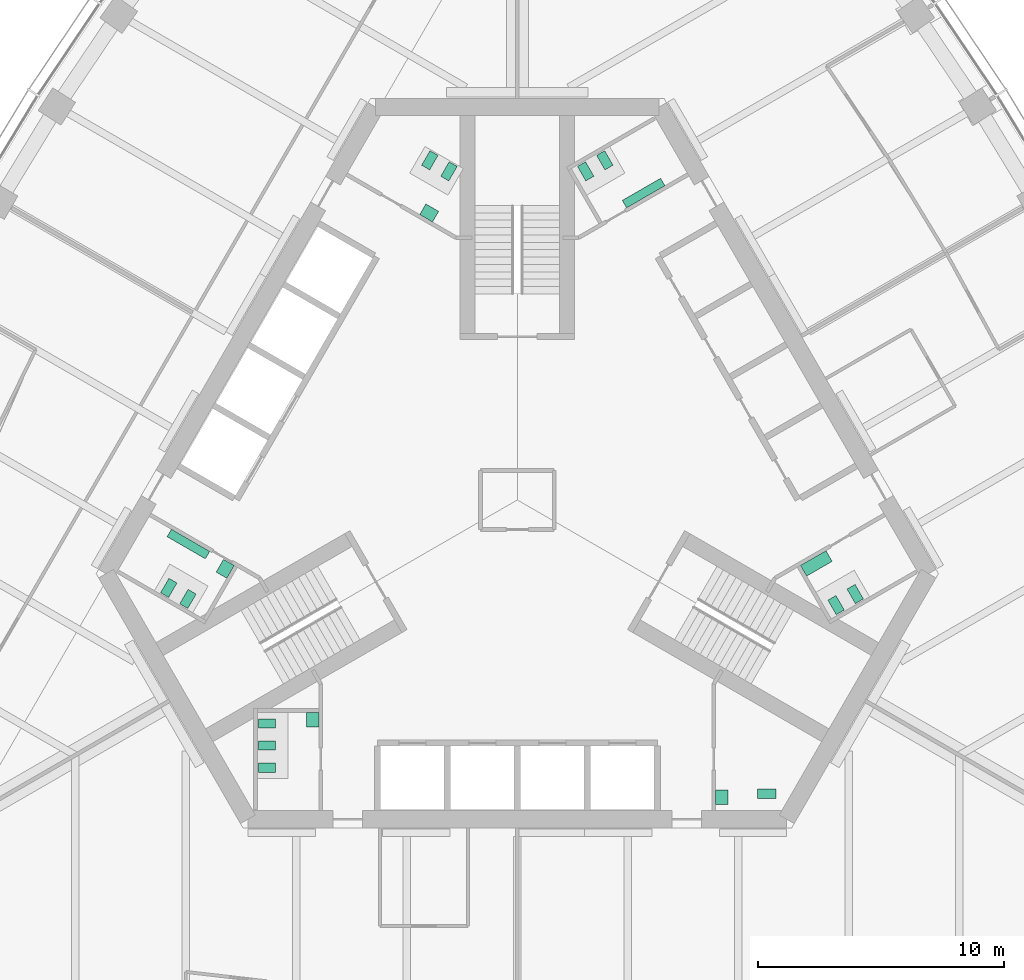
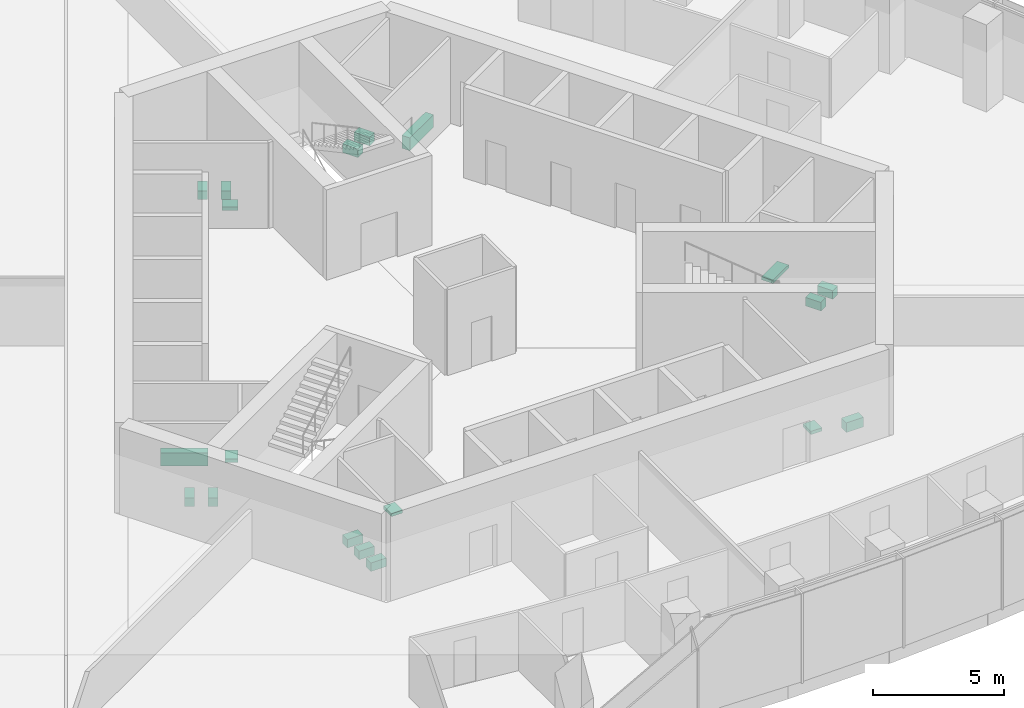
# One storey, part 18 of 19: 19 sanitary terminals.
"""IFC4 building model written with IfcOpenShell, lengths in metres."""

from ifc_helpers import new_model, si_unit, direction, frame, origin, place, context, subcontext, project, spatial, polyline, outline, extrude, material, type_object, element, save


model = new_model("IFC4")

# Units and contexts
model_context = context("Model", 3, precision=1e-05, world=origin(), true_north=direction((0.0, 1.0)))
body_context = subcontext(model_context, "Body", "Model", "MODEL_VIEW")
ifc_project = project(units=[si_unit("LENGTHUNIT", "METRE"), si_unit("AREAUNIT", "SQUARE_METRE"), si_unit("VOLUMEUNIT", "CUBIC_METRE"), si_unit("PLANEANGLEUNIT", "RADIAN"), si_unit("MASSUNIT", "GRAM", prefix="KILO")], contexts=[model_context])

# Site, building, storey
site_placement = place(None, origin())
site = spatial("IfcSite", under=ifc_project, at=site_placement, CompositionType="ELEMENT")
building_placement = place(site_placement, origin())
building = spatial("IfcBuilding", under=site, at=building_placement, Name="Trefoil Bronze Tower", CompositionType="ELEMENT")
storey_placement = place(building_placement, frame((0.0, 0.0, 223.300048828125)))
storey = spatial("IfcBuildingStorey", under=building, at=storey_placement, Name="L51", CompositionType="ELEMENT", Elevation=223.300048828125)

# Sanitary terminals
ifc_material_1 = material(Name="Vitreous china", Category="ceramic")
sanitary_terminal_type_1 = type_object("IfcSanitaryTerminalType", Name="Accessible WC pan", PredefinedType="TOILETPAN", material=ifc_material_1)
sanitary_terminal_1_placement = place(storey_placement, origin())
element("IfcSanitaryTerminal", 1, at=sanitary_terminal_1_placement, inside=storey, type_object=sanitary_terminal_type_1, Name="WC pan 1 Accessible WC L51", PredefinedType="TOILETPAN", context=body_context, shape_type="SweptSolid", body=[
    extrude(outline(polyline([(9.784912109375, -11.77001953125), (10.534912109375, -11.77001953125), (10.534912109375, -12.14990234375), (9.784912109375, -12.14990234375), (9.784912109375, -11.77001953125)])), origin(), (0.0, 0.0, 1.0), 0.449951171875),
])
ifc_material_2 = material(Name="Vitreous china", Category="ceramic")
sanitary_terminal_type_2 = type_object("IfcSanitaryTerminalType", Name="Accessible basin", PredefinedType="WASHHANDBASIN", material=ifc_material_2)
sanitary_terminal_2_placement = place(storey_placement, frame((0.0, 0.0, 0.64990234375)))
element("IfcSanitaryTerminal", 2, at=sanitary_terminal_2_placement, inside=storey, type_object=sanitary_terminal_type_2, Name="Wash basin Accessible WC L51", PredefinedType="WASHHANDBASIN", context=body_context, shape_type="SweptSolid", body=[
    extrude(outline(polyline([(8.074951171875, -11.800048828125), (8.574951171875, -11.800048828125), (8.574951171875, -12.39990234375), (8.074951171875, -12.39990234375), (8.074951171875, -11.800048828125)])), origin(), (0.0, 0.0, 1.0), 0.150146484375),
])
ifc_material_3 = material(Name="Vitreous china", Category="ceramic")
sanitary_terminal_type_3 = type_object("IfcSanitaryTerminalType", Name="Urinal range 3 urinals", PredefinedType="URINAL", material=ifc_material_3)
sanitary_terminal_3_placement = place(storey_placement, frame((0.0, 0.0, 0.39990234375)))
element("IfcSanitaryTerminal", 3, at=sanitary_terminal_3_placement, inside=storey, type_object=sanitary_terminal_type_3, Name="Urinal range WC (men) L51", PredefinedType="URINAL", context=body_context, shape_type="SweptSolid", body=[
    extrude(outline(polyline([(4.449462890625, 11.89306640625), (4.274658203125, 12.1962890625), (5.83349609375, 13.09619140625), (6.00830078125, 12.793212890625), (4.449462890625, 11.89306640625)])), origin(), (0.0, 0.0, 1.0), 0.60009765625),
])
sanitary_terminal_4_placement = place(storey_placement, frame((0.0, 0.0, 0.39990234375)))
element("IfcSanitaryTerminal", 4, at=sanitary_terminal_4_placement, inside=storey, type_object=sanitary_terminal_type_3, Name="Urinal range WC (men) L51", PredefinedType="URINAL", context=body_context, shape_type="SweptSolid", body=[
    extrude(outline(polyline([(-12.524658203125, -2.09326171875), (-12.699462890625, -2.396240234375), (-14.25830078125, -1.496337890625), (-14.08349609375, -1.193115234375), (-12.524658203125, -2.09326171875)])), origin(), (0.0, 0.0, 1.0), 0.60009765625),
])
ifc_material_4 = material(Name="Solid surface vanity", Category="plastic")
sanitary_terminal_type_4 = type_object("IfcSanitaryTerminalType", Name="Vanity unit 1 basins", PredefinedType="WASHHANDBASIN", material=ifc_material_4)
sanitary_terminal_5_placement = place(storey_placement, frame((0.0, 0.0, 0.75)))
element("IfcSanitaryTerminal", 5, at=sanitary_terminal_5_placement, inside=storey, type_object=sanitary_terminal_type_4, Name="Vanity unit WC (women) L51", PredefinedType="WASHHANDBASIN", context=body_context, shape_type="SweptSolid", body=[
    extrude(outline(polyline([(-3.45361328125, 11.318115234375), (-3.20361328125, 11.751220703125), (-3.72314453125, 12.05126953125), (-3.97314453125, 11.6181640625), (-3.45361328125, 11.318115234375)])), origin(), (0.0, 0.0, 1.0), 0.14990234375),
])
sanitary_terminal_6_placement = place(storey_placement, frame((0.0, 0.0, 0.75)))
element("IfcSanitaryTerminal", 6, at=sanitary_terminal_6_placement, inside=storey, type_object=sanitary_terminal_type_4, Name="Vanity unit WC (men) L51", PredefinedType="WASHHANDBASIN", context=body_context, shape_type="SweptSolid", body=[
    extrude(outline(polyline([(-11.528564453125, -2.668212890625), (-11.82861328125, -3.187744140625), (-12.26171875, -2.937744140625), (-11.961669921875, -2.418212890625), (-11.528564453125, -2.668212890625)])), origin(), (0.0, 0.0, 1.0), 0.14990234375),
])
sanitary_terminal_7_placement = place(storey_placement, frame((0.0, 0.0, 0.75)))
element("IfcSanitaryTerminal", 7, at=sanitary_terminal_7_placement, inside=storey, type_object=sanitary_terminal_type_4, Name="Vanity unit WC (women) L51", PredefinedType="WASHHANDBASIN", context=body_context, shape_type="SweptSolid", body=[
    extrude(outline(polyline([(-8.074951171875, -8.64990234375), (-8.574951171875, -8.64990234375), (-8.574951171875, -9.25), (-8.074951171875, -9.25), (-8.074951171875, -8.64990234375)])), origin(), (0.0, 0.0, 1.0), 0.14990234375),
])
ifc_material_5 = material(Name="Solid surface vanity", Category="plastic")
sanitary_terminal_type_5 = type_object("IfcSanitaryTerminalType", Name="Vanity unit 2 basins", PredefinedType="WASHHANDBASIN", material=ifc_material_5)
sanitary_terminal_8_placement = place(storey_placement, frame((0.0, 0.0, 0.75)))
element("IfcSanitaryTerminal", 8, at=sanitary_terminal_8_placement, inside=storey, type_object=sanitary_terminal_type_5, Name="Vanity unit WC (women) L51", PredefinedType="WASHHANDBASIN", context=body_context, shape_type="SweptSolid", body=[
    extrude(outline(polyline([(11.528564453125, -2.668212890625), (11.778564453125, -3.10107421875), (12.81787109375, -2.501220703125), (12.56787109375, -2.068115234375), (11.528564453125, -2.668212890625)])), origin(), (0.0, 0.0, 1.0), 0.14990234375),
])
ifc_material_6 = material(Name="Vitreous china", Category="ceramic")
sanitary_terminal_type_6 = type_object("IfcSanitaryTerminalType", Name="WC pan", PredefinedType="TOILETPAN", material=ifc_material_6)
sanitary_terminal_9_placement = place(storey_placement, origin())
element("IfcSanitaryTerminal", 9, at=sanitary_terminal_9_placement, inside=storey, type_object=sanitary_terminal_type_6, Name="WC pan 1 WC (women) L51", PredefinedType="TOILETPAN", context=body_context, shape_type="SweptSolid", body=[
    extrude(outline(polyline([(12.643798828125, -4.07958984375), (12.98388671875, -4.66845703125), (13.31298828125, -4.478515625), (12.972900390625, -3.8896484375), (12.643798828125, -4.07958984375)])), origin(), (0.0, 0.0, 1.0), 0.39990234375),
])
sanitary_terminal_10_placement = place(storey_placement, origin())
element("IfcSanitaryTerminal", 10, at=sanitary_terminal_10_placement, inside=storey, type_object=sanitary_terminal_type_6, Name="WC pan 2 WC (women) L51", PredefinedType="TOILETPAN", context=body_context, shape_type="SweptSolid", body=[
    extrude(outline(polyline([(13.423095703125, -3.629638671875), (13.76318359375, -4.218505859375), (14.09228515625, -4.028564453125), (13.752197265625, -3.439697265625), (13.423095703125, -3.629638671875)])), origin(), (0.0, 0.0, 1.0), 0.39990234375),
])
sanitary_terminal_11_placement = place(storey_placement, origin())
element("IfcSanitaryTerminal", 11, at=sanitary_terminal_11_placement, inside=storey, type_object=sanitary_terminal_type_6, Name="WC pan 1 WC (men) L51", PredefinedType="TOILETPAN", context=body_context, shape_type="SweptSolid", body=[
    extrude(outline(polyline([(2.788818359375, 12.98974609375), (2.44873046875, 13.57861328125), (2.77783203125, 13.7685546875), (3.117919921875, 13.1796875), (2.788818359375, 12.98974609375)])), origin(), (0.0, 0.0, 1.0), 0.39990234375),
])
sanitary_terminal_12_placement = place(storey_placement, origin())
element("IfcSanitaryTerminal", 12, at=sanitary_terminal_12_placement, inside=storey, type_object=sanitary_terminal_type_6, Name="WC pan 2 WC (men) L51", PredefinedType="TOILETPAN", context=body_context, shape_type="SweptSolid", body=[
    extrude(outline(polyline([(3.568115234375, 13.439697265625), (3.228271484375, 14.028564453125), (3.557373046875, 14.218505859375), (3.897216796875, 13.629638671875), (3.568115234375, 13.439697265625)])), origin(), (0.0, 0.0, 1.0), 0.39990234375),
])
sanitary_terminal_13_placement = place(storey_placement, origin())
element("IfcSanitaryTerminal", 13, at=sanitary_terminal_13_placement, inside=storey, type_object=sanitary_terminal_type_6, Name="WC pan 1 WC (women) L51", PredefinedType="TOILETPAN", context=body_context, shape_type="SweptSolid", body=[
    extrude(outline(polyline([(-2.788818359375, 12.98974609375), (-2.44873046875, 13.57861328125), (-2.77783203125, 13.7685546875), (-3.117919921875, 13.1796875), (-2.788818359375, 12.98974609375)])), origin(), (0.0, 0.0, 1.0), 0.39990234375),
])
sanitary_terminal_14_placement = place(storey_placement, origin())
element("IfcSanitaryTerminal", 14, at=sanitary_terminal_14_placement, inside=storey, type_object=sanitary_terminal_type_6, Name="WC pan 2 WC (women) L51", PredefinedType="TOILETPAN", context=body_context, shape_type="SweptSolid", body=[
    extrude(outline(polyline([(-3.568115234375, 13.439697265625), (-3.228271484375, 14.028564453125), (-3.557373046875, 14.218505859375), (-3.897216796875, 13.629638671875), (-3.568115234375, 13.439697265625)])), origin(), (0.0, 0.0, 1.0), 0.39990234375),
])
sanitary_terminal_15_placement = place(storey_placement, origin())
element("IfcSanitaryTerminal", 15, at=sanitary_terminal_15_placement, inside=storey, type_object=sanitary_terminal_type_6, Name="WC pan 1 WC (men) L51", PredefinedType="TOILETPAN", context=body_context, shape_type="SweptSolid", body=[
    extrude(outline(polyline([(-13.076904296875, -3.82958984375), (-13.416748046875, -4.41845703125), (-13.745849609375, -4.228515625), (-13.406005859375, -3.6396484375), (-13.076904296875, -3.82958984375)])), origin(), (0.0, 0.0, 1.0), 0.39990234375),
])
sanitary_terminal_16_placement = place(storey_placement, origin())
element("IfcSanitaryTerminal", 16, at=sanitary_terminal_16_placement, inside=storey, type_object=sanitary_terminal_type_6, Name="WC pan 2 WC (men) L51", PredefinedType="TOILETPAN", context=body_context, shape_type="SweptSolid", body=[
    extrude(outline(polyline([(-13.856201171875, -3.379638671875), (-14.1962890625, -3.968505859375), (-14.525390625, -3.778564453125), (-14.185302734375, -3.189697265625), (-13.856201171875, -3.379638671875)])), origin(), (0.0, 0.0, 1.0), 0.39990234375),
])
sanitary_terminal_17_placement = place(storey_placement, origin())
element("IfcSanitaryTerminal", 17, at=sanitary_terminal_17_placement, inside=storey, type_object=sanitary_terminal_type_6, Name="WC pan 1 WC (women) L51", PredefinedType="TOILETPAN", context=body_context, shape_type="SweptSolid", body=[
    extrude(outline(polyline([(-9.85498046875, -8.909912109375), (-10.534912109375, -8.909912109375), (-10.534912109375, -9.2900390625), (-9.85498046875, -9.2900390625), (-9.85498046875, -8.909912109375)])), origin(), (0.0, 0.0, 1.0), 0.39990234375),
])
sanitary_terminal_18_placement = place(storey_placement, origin())
element("IfcSanitaryTerminal", 18, at=sanitary_terminal_18_placement, inside=storey, type_object=sanitary_terminal_type_6, Name="WC pan 2 WC (women) L51", PredefinedType="TOILETPAN", context=body_context, shape_type="SweptSolid", body=[
    extrude(outline(polyline([(-9.85498046875, -9.81005859375), (-10.534912109375, -9.81005859375), (-10.534912109375, -10.18994140625), (-9.85498046875, -10.18994140625), (-9.85498046875, -9.81005859375)])), origin(), (0.0, 0.0, 1.0), 0.39990234375),
])
sanitary_terminal_19_placement = place(storey_placement, origin())
element("IfcSanitaryTerminal", 19, at=sanitary_terminal_19_placement, inside=storey, type_object=sanitary_terminal_type_6, Name="WC pan 3 WC (women) L51", PredefinedType="TOILETPAN", context=body_context, shape_type="SweptSolid", body=[
    extrude(outline(polyline([(-9.85498046875, -10.7099609375), (-10.534912109375, -10.7099609375), (-10.534912109375, -11.090087890625), (-9.85498046875, -11.090087890625), (-9.85498046875, -10.7099609375)])), origin(), (0.0, 0.0, 1.0), 0.39990234375),
])

save(model, "model.ifc")
